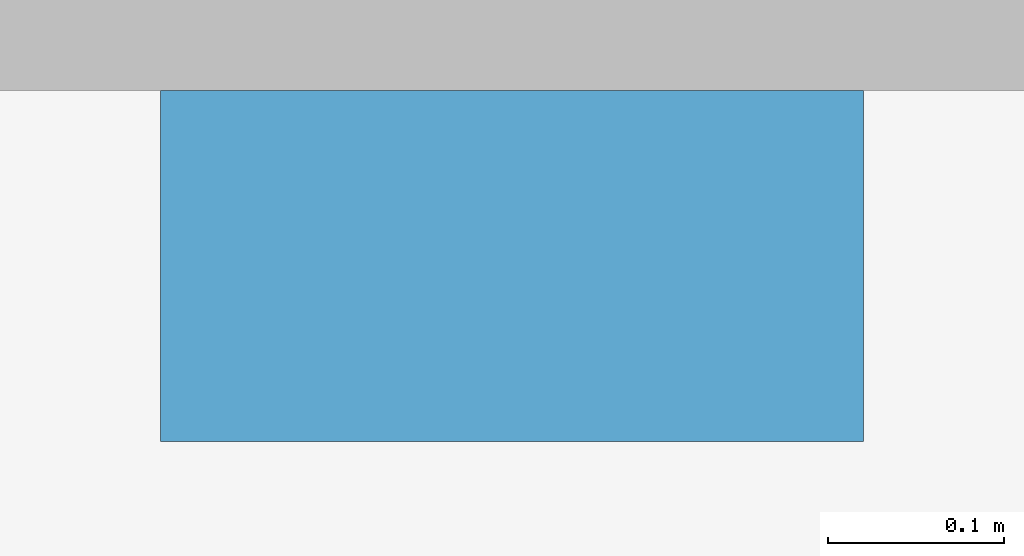
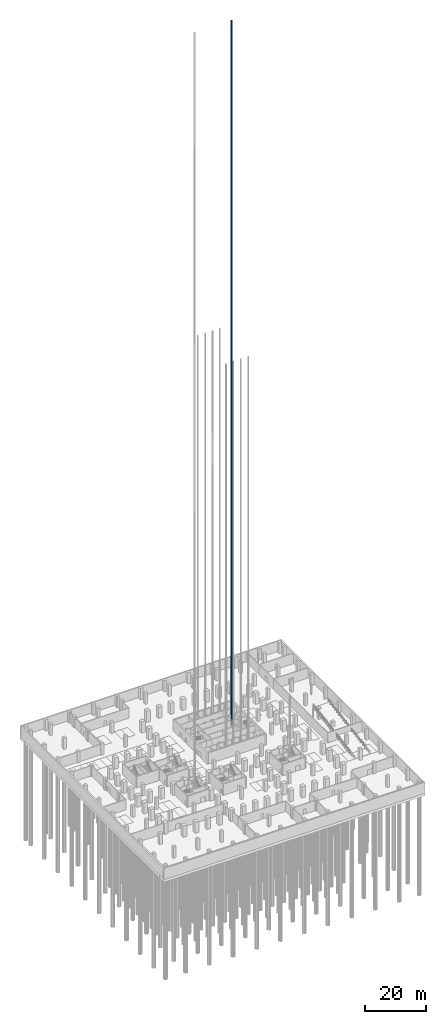
# One storey, part 31 of 37: 1 discrete accessory.
"""IFC4 building model written with IfcOpenShell, lengths in metres."""

from ifc_helpers import new_model, si_unit, direction, frame, origin, origin_2d, place, context, subcontext, project, spatial, rectangle, extrude, material, element, save


model = new_model("IFC4")

# Units and contexts
model_context = context("Model", 3, precision=1e-05, world=origin(), true_north=direction((0.0, 1.0)))
body_context = subcontext(model_context, "Body", "Model", "MODEL_VIEW")
ifc_project = project(units=[si_unit("LENGTHUNIT", "METRE"), si_unit("AREAUNIT", "SQUARE_METRE"), si_unit("VOLUMEUNIT", "CUBIC_METRE"), si_unit("PLANEANGLEUNIT", "RADIAN"), si_unit("MASSUNIT", "GRAM", prefix="KILO")], contexts=[model_context])

# Site, building, storey
site_placement = place(None, origin())
site = spatial("IfcSite", under=ifc_project, at=site_placement, CompositionType="ELEMENT")
building_placement = place(site_placement, origin())
building = spatial("IfcBuilding", under=site, at=building_placement, Name="Quoin Convention Tower", CompositionType="ELEMENT")
storey_placement = place(building_placement, frame((0.0, 0.0, -9.0)))
storey = spatial("IfcBuildingStorey", under=building, at=storey_placement, Name="B2", CompositionType="ELEMENT", Elevation=-9.0)

# Discrete accessory
ifc_material = material(Name="Galvanised steel", Category="steel")
discrete_accessory_placement = place(storey_placement, frame((63.27490234375, 65.10009765625, -0.35009765625), z_axis=(0.0, 0.0, 1.0), x_axis=(1.0, 0.0, 0.0)))
element("IfcDiscreteAccessory", 1, at=discrete_accessory_placement, inside=storey, material=ifc_material, Name="LIFT GUIDE RAILS FL2", ObjectType="Lift guide rails", PredefinedType="USERDEFINED", context=body_context, shape_type="SweptSolid", body=[
    extrude(rectangle(XDim=0.39990234375, YDim=0.199951171875, at=origin_2d()), origin(), (0.0, 0.0, 1.0), 282.800048828125),
])

save(model, "model.ifc")
